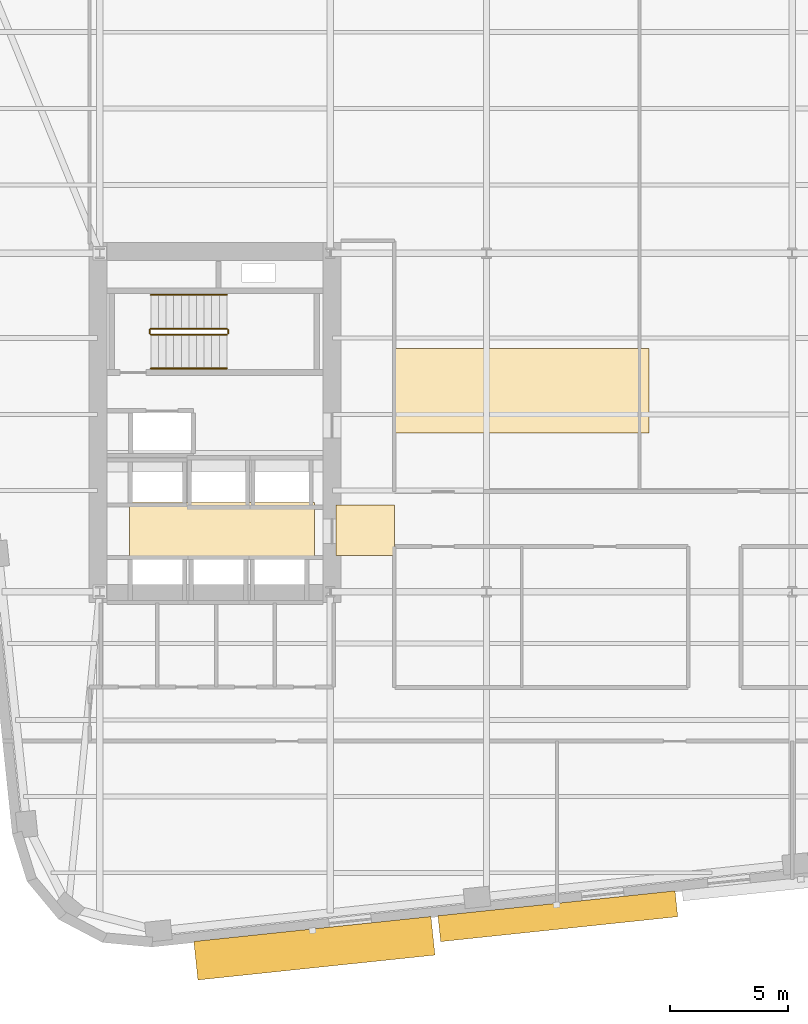
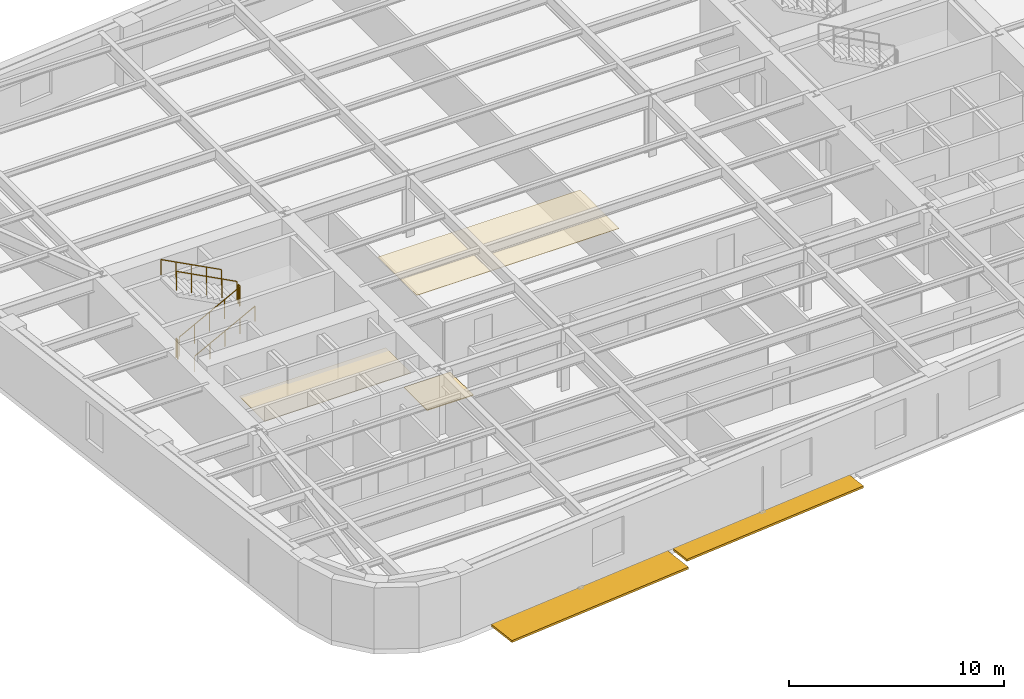
# One storey, part 8 of 12: 6 railings, 3 coverings, 2 shading devices.
"""IFC4 building model written with IfcOpenShell, lengths in metres."""

from ifc_helpers import new_model, si_unit, direction, frame, origin, origin_2d, place, context, subcontext, project, spatial, polyline, rectangle, circle, outline, extrude, material, layer, layer_set, type_object, element, save


model = new_model("IFC4")

# Units and contexts
model_context = context("Model", 3, precision=1e-05, world=origin(), true_north=direction((0.0, 1.0)))
body_context = subcontext(model_context, "Body", "Model", "MODEL_VIEW")
ifc_project = project(units=[si_unit("LENGTHUNIT", "METRE"), si_unit("AREAUNIT", "SQUARE_METRE"), si_unit("VOLUMEUNIT", "CUBIC_METRE"), si_unit("PLANEANGLEUNIT", "RADIAN"), si_unit("MASSUNIT", "GRAM", prefix="KILO")], contexts=[model_context])

# Site, building, storey
site_placement = place(None, origin())
site = spatial("IfcSite", under=ifc_project, at=site_placement, CompositionType="ELEMENT")
building_placement = place(site_placement, origin())
building = spatial("IfcBuilding", under=site, at=building_placement, Name="Kolvaren Arena Tower", CompositionType="ELEMENT")
storey_placement = place(building_placement, frame((0.0, 0.0, 110.949951171875)))
storey = spatial("IfcBuildingStorey", under=building, at=storey_placement, Name="L25", CompositionType="ELEMENT", Elevation=110.949951171875)

# Coverings
ifc_material_1 = material(Name="Mineral fibre acoustic ceiling tile", Category="gypsum")
ifc_layer_1 = layer(ifc_material_1, 0.02490234375)
ifc_layer_set_1 = layer_set([ifc_layer_1], Name="Mineral fibre acoustic ceiling tile")
covering_type_1 = type_object("IfcCoveringType", Name="CEIL-ACT-1", PredefinedType="CEILING", material=ifc_layer_set_1)
covering_1_placement = place(storey_placement, frame((0.0, 0.0, 2.52001953125)))
element("IfcCovering", 1, at=covering_1_placement, inside=storey, type_object=covering_type_1, Name="Suspended Ceiling (L25)", PredefinedType="CEILING", context=body_context, shape_type="SweptSolid", body=[
    extrude(outline(polyline([(27.050048828125, 26.199951171875), (27.050048828125, 29.800048828125), (37.89990234375, 29.800048828125), (37.89990234375, 26.199951171875), (27.050048828125, 26.199951171875)])), origin(), (0.0, 0.0, 1.0), 0.025146484375),
])
ifc_material_2 = material(Name="Moisture-resistant gypsum ceiling", Category="gypsum")
ifc_layer_2 = layer(ifc_material_2, 0.030029296875)
ifc_layer_set_2 = layer_set([ifc_layer_2], Name="Moisture-resistant gypsum ceiling")
covering_type_2 = type_object("IfcCoveringType", Name="CEIL-GYP-1", PredefinedType="CEILING", material=ifc_layer_set_2)
covering_2_placement = place(storey_placement, frame((0.0, 0.0, 2.52001953125)))
element("IfcCovering", 2, at=covering_2_placement, inside=storey, type_object=covering_type_2, Name="Suspended Ceiling (L25)", PredefinedType="CEILING", context=body_context, shape_type="SweptSolid", body=[
    extrude(outline(polyline([(15.820068359375, 20.89990234375), (15.820068359375, 23.239990234375), (23.679931640625, 23.239990234375), (23.679931640625, 20.89990234375), (15.820068359375, 20.89990234375)])), origin(), (0.0, 0.0, 1.0), 0.030029296875),
])
ifc_material_3 = material(Name="Raised access office floor finish", Category="aluminium")
ifc_layer_3 = layer(ifc_material_3, 0.044921875)
ifc_layer_set_3 = layer_set([ifc_layer_3], Name="Raised access office floor finish")
covering_type_3 = type_object("IfcCoveringType", Name="FLOR-RAF-1", PredefinedType="FLOORING", material=ifc_layer_set_3)
covering_3_placement = place(storey_placement, origin())
element("IfcCovering", 3, at=covering_3_placement, inside=storey, type_object=covering_type_3, Name="Floor Finish (L25)", PredefinedType="FLOORING", context=body_context, shape_type="SweptSolid", body=[
    extrude(outline(polyline([(24.60009765625, 21.0), (24.60009765625, 23.14990234375), (27.080078125, 23.14990234375), (27.080078125, 21.0), (24.60009765625, 21.0)])), origin(), (0.0, 0.0, 1.0), 0.045166015625),
])

# Railings
ifc_material_4 = material(Name="Painted galvanized steel", Category="steel")
railing_type_1 = type_object("IfcRailingType", Name="GUARD-ST-110", PredefinedType="GUARDRAIL", material=ifc_material_4)
railing_1_placement = place(storey_placement, frame((16.719970703125, 30.389892578125, 0.17041015625)))
element("IfcRailing", 4, at=railing_1_placement, inside=storey, type_object=railing_type_1, Name="L25 ST-W1 stair guard 1", PredefinedType="GUARDRAIL", context=body_context, shape_type="SweptSolid", body=[
    extrude(circle(Radius=0.02392578125, at=origin_2d()), frame((0.0, 0.0, 1.076171875), z_axis=(0.884993431791, 0.0, 0.465603506952), x_axis=(0.0, 1.0, 0.0)), (0.0, 0.0, 1.0), 3.6611328125),
    extrude(circle(Radius=0.02099609375, at=origin_2d()), origin(), (0.0, 0.0, 1.0), 1.052001953125),
    extrude(circle(Radius=0.02099609375, at=origin_2d()), frame((0.81005859375, 0.0, 0.42626953125)), (0.0, 0.0, 1.0), 1.052001953125),
    extrude(circle(Radius=0.02099609375, at=origin_2d()), frame((1.6201171875, 0.0, 0.852294921875)), (0.0, 0.0, 1.0), 1.052001953125),
    extrude(circle(Radius=0.02099609375, at=origin_2d()), frame((2.429931640625, 0.0, 1.2783203125)), (0.0, 0.0, 1.0), 1.052001953125),
    extrude(circle(Radius=0.02099609375, at=origin_2d()), frame((3.239990234375, 0.0, 1.70458984375)), (0.0, 0.0, 1.0), 1.052001953125),
])
railing_2_placement = place(storey_placement, frame((20.010009765625, 30.43994140625, 1.875)))
element("IfcRailing", 5, at=railing_2_placement, inside=storey, type_object=railing_type_1, Name="L25 ST-W1 stair guard 2", PredefinedType="GUARDRAIL", context=body_context, shape_type="SweptSolid", body=[
    extrude(circle(Radius=0.02392578125, at=origin_2d()), frame((0.0, 0.0, 1.076171875), z_axis=(0.0, 1.0, 0.0), x_axis=(-1.0, 0.0, 0.0)), (0.0, 0.0, 1.0), 0.150146484375),
    extrude(circle(Radius=0.02099609375, at=origin_2d()), origin(), (0.0, 0.0, 1.0), 1.052001953125),
    extrude(circle(Radius=0.02099609375, at=origin_2d()), frame((0.0, 0.150146484375, 0.0)), (0.0, 0.0, 1.0), 1.052001953125),
])
railing_3_placement = place(storey_placement, frame((19.9599609375, 30.639892578125, 2.04541015625)))
element("IfcRailing", 6, at=railing_3_placement, inside=storey, type_object=railing_type_1, Name="L25 ST-W1 stair guard 3", PredefinedType="GUARDRAIL", context=body_context, shape_type="SweptSolid", body=[
    extrude(circle(Radius=0.02392578125, at=origin_2d()), frame((0.0, 0.0, 1.076171875), z_axis=(-0.884993431791, 0.0, 0.465603506952), x_axis=(0.0, -1.0, 0.0)), (0.0, 0.0, 1.0), 3.6611328125),
    extrude(circle(Radius=0.02099609375, at=origin_2d()), origin(), (0.0, 0.0, 1.0), 1.052001953125),
    extrude(circle(Radius=0.02099609375, at=origin_2d()), frame((-0.81005859375, 0.0, 0.42626953125)), (0.0, 0.0, 1.0), 1.052001953125),
    extrude(circle(Radius=0.02099609375, at=origin_2d()), frame((-1.6201171875, 0.0, 0.852294921875)), (0.0, 0.0, 1.0), 1.052001953125),
    extrude(circle(Radius=0.02099609375, at=origin_2d()), frame((-2.429931640625, 0.0, 1.2783203125)), (0.0, 0.0, 1.0), 1.052001953125),
    extrude(circle(Radius=0.02099609375, at=origin_2d()), frame((-3.239990234375, 0.0, 1.70458984375)), (0.0, 0.0, 1.0), 1.052001953125),
])
railing_4_placement = place(storey_placement, frame((16.669921875, 30.43994140625, 0.0)))
element("IfcRailing", 7, at=railing_4_placement, inside=storey, type_object=railing_type_1, Name="L25 ST-W1 stair guard 4", PredefinedType="GUARDRAIL", context=body_context, shape_type="SweptSolid", body=[
    extrude(circle(Radius=0.02392578125, at=origin_2d()), frame((0.0, 0.0, 1.076171875), z_axis=(0.0, 1.0, 0.0), x_axis=(-1.0, 0.0, 0.0)), (0.0, 0.0, 1.0), 0.150146484375),
    extrude(circle(Radius=0.02099609375, at=origin_2d()), origin(), (0.0, 0.0, 1.0), 1.052001953125),
    extrude(circle(Radius=0.02099609375, at=origin_2d()), frame((0.0, 0.150146484375, 0.0)), (0.0, 0.0, 1.0), 1.052001953125),
])
ifc_material_5 = material(Name="Brushed stainless steel handrail", Category="steel")
railing_type_2 = type_object("IfcRailingType", Name="HRAIL-900", PredefinedType="HANDRAIL", material=ifc_material_5)
railing_5_placement = place(storey_placement, frame((16.719970703125, 28.949951171875, 0.17041015625)))
element("IfcRailing", 8, at=railing_5_placement, inside=storey, type_object=railing_type_2, Name="L25 ST-W1 stair handrail 1", PredefinedType="HANDRAIL", context=body_context, shape_type="SweptSolid", body=[
    extrude(circle(Radius=0.02392578125, at=origin_2d()), frame((0.0, 0.0, 0.8759765625), z_axis=(0.884993431791, 0.0, 0.465603506952), x_axis=(0.0, 1.0, 0.0)), (0.0, 0.0, 1.0), 3.6611328125),
    extrude(circle(Radius=0.02099609375, at=origin_2d()), origin(), (0.0, 0.0, 1.0), 0.851806640625),
    extrude(circle(Radius=0.02099609375, at=origin_2d()), frame((0.81005859375, 0.0, 0.42626953125)), (0.0, 0.0, 1.0), 0.851806640625),
    extrude(circle(Radius=0.02099609375, at=origin_2d()), frame((1.6201171875, 0.0, 0.852294921875)), (0.0, 0.0, 1.0), 0.851806640625),
    extrude(circle(Radius=0.02099609375, at=origin_2d()), frame((2.429931640625, 0.0, 1.2783203125)), (0.0, 0.0, 1.0), 0.851806640625),
    extrude(circle(Radius=0.02099609375, at=origin_2d()), frame((3.239990234375, 0.0, 1.70458984375)), (0.0, 0.0, 1.0), 0.851806640625),
])
railing_6_placement = place(storey_placement, frame((19.9599609375, 32.080078125, 2.04541015625)))
element("IfcRailing", 9, at=railing_6_placement, inside=storey, type_object=railing_type_2, Name="L25 ST-W1 stair handrail 2", PredefinedType="HANDRAIL", context=body_context, shape_type="SweptSolid", body=[
    extrude(circle(Radius=0.02392578125, at=origin_2d()), frame((0.0, 0.0, 0.8759765625), z_axis=(-0.884993431791, 0.0, 0.465603506952), x_axis=(0.0, -1.0, 0.0)), (0.0, 0.0, 1.0), 3.6611328125),
    extrude(circle(Radius=0.02099609375, at=origin_2d()), origin(), (0.0, 0.0, 1.0), 0.851806640625),
    extrude(circle(Radius=0.02099609375, at=origin_2d()), frame((-0.81005859375, 0.0, 0.42626953125)), (0.0, 0.0, 1.0), 0.851806640625),
    extrude(circle(Radius=0.02099609375, at=origin_2d()), frame((-1.6201171875, 0.0, 0.852294921875)), (0.0, 0.0, 1.0), 0.851806640625),
    extrude(circle(Radius=0.02099609375, at=origin_2d()), frame((-2.429931640625, 0.0, 1.2783203125)), (0.0, 0.0, 1.0), 0.851806640625),
    extrude(circle(Radius=0.02099609375, at=origin_2d()), frame((-3.239990234375, 0.0, 1.70458984375)), (0.0, 0.0, 1.0), 0.851806640625),
])

# Shading devices
ifc_material_6 = material(Name="Architectural precast GFRC and anodised aluminium sunshade", Category="concrete")
shading_device_type_1 = type_object("IfcShadingDeviceType", Name="SHAD-SINE-A", PredefinedType="USERDEFINED", material=ifc_material_6)
shading_device_1_placement = place(storey_placement, frame((34.03369140625, 5.650634765625, -0.139892578125), z_axis=(0.0, 0.0, 1.0), x_axis=(-0.994522077803, -0.104526727499, 0.0)))
element("IfcShadingDevice", 10, at=shading_device_1_placement, inside=storey, type_object=shading_device_type_1, Name="Sinusoidal Slab-Edge Sunshade Louvre (L25)", ObjectType="LOUVRE", PredefinedType="USERDEFINED", context=body_context, shape_type="SweptSolid", body=[
    extrude(rectangle(XDim=10.139892578125, YDim=1.106201171875, at=origin_2d()), origin(), (0.0, 0.0, 1.0), 0.1201171875),
])
shading_device_type_2 = type_object("IfcShadingDeviceType", Name="SHAD-SINE-B", PredefinedType="JALOUSIE", material=ifc_material_6)
shading_device_2_placement = place(storey_placement, frame((23.67919921875, 4.2890625, -0.139892578125), z_axis=(0.0, 0.0, 1.0), x_axis=(-0.994522077803, -0.104526727499, 0.0)))
element("IfcShadingDevice", 11, at=shading_device_2_placement, inside=storey, type_object=shading_device_type_2, Name="Sinusoidal Slab-Edge Sunshade Louvre (L25)", PredefinedType="JALOUSIE", context=body_context, shape_type="SweptSolid", body=[
    extrude(rectangle(XDim=10.139892578125, YDim=1.649658203125, at=origin_2d()), origin(), (0.0, 0.0, 1.0), 0.1201171875),
])

save(model, "model.ifc")
